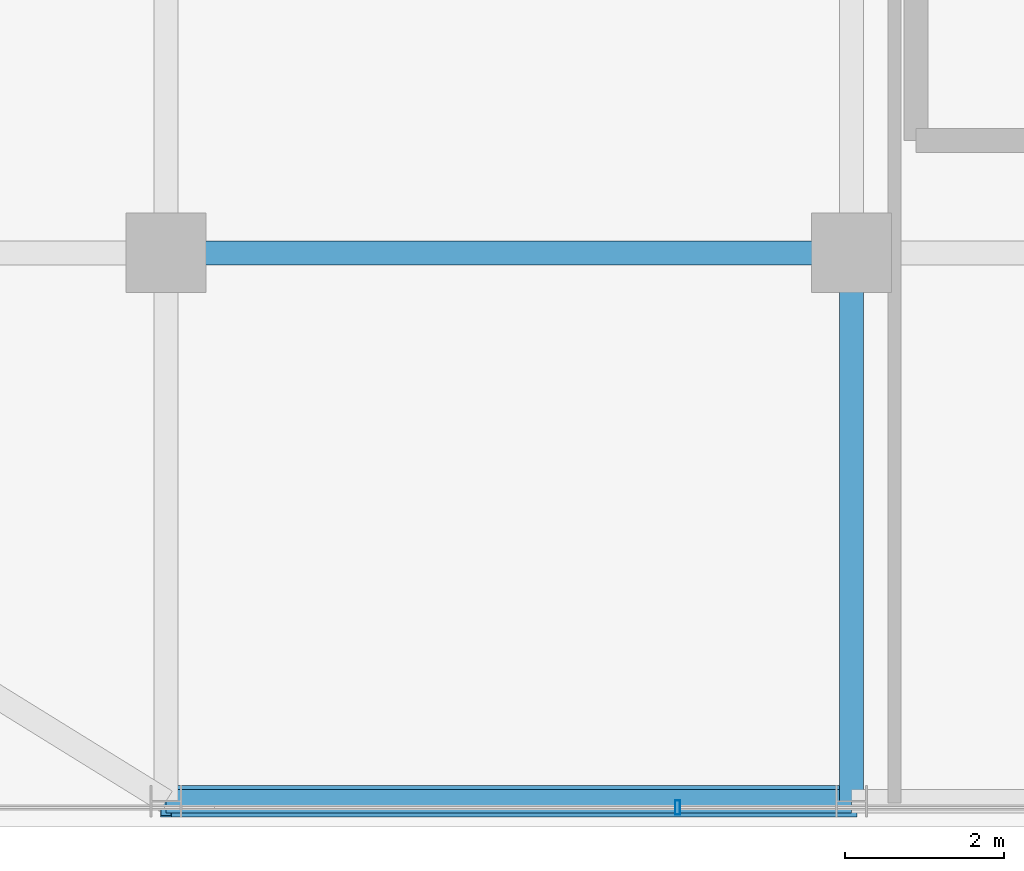
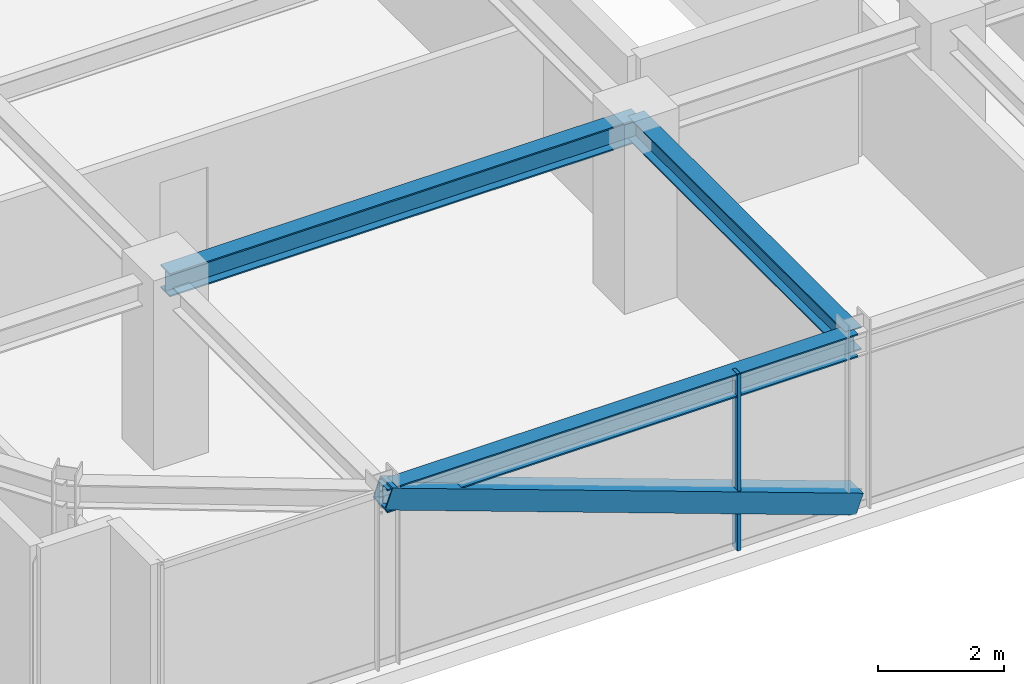
# One storey, part 5 of 42: 3 beams, 2 members, 1 element without a shape of its own.
"""IFC4 building model written with IfcOpenShell, lengths in metres."""

from ifc_helpers import new_model, si_unit, direction, frame, origin, origin_2d, place, context, subcontext, project, spatial, hollow_rectangle, i_section, extrude, source, transform, mapped, material, material_profile, profile_set, type_object, element, aggregate, save


model = new_model("IFC4")

# Units and contexts
model_context = context("Model", 3, precision=1e-05, world=origin(), true_north=direction((0.0, 1.0)))
body_context = subcontext(model_context, "Body", "Model", "MODEL_VIEW")
ifc_project = project(units=[si_unit("LENGTHUNIT", "METRE"), si_unit("AREAUNIT", "SQUARE_METRE"), si_unit("VOLUMEUNIT", "CUBIC_METRE"), si_unit("PLANEANGLEUNIT", "RADIAN"), si_unit("MASSUNIT", "GRAM", prefix="KILO")], contexts=[model_context])

# Site, building, storey
site_placement = place(None, origin())
site = spatial("IfcSite", under=ifc_project, at=site_placement, CompositionType="ELEMENT")
building_placement = place(site_placement, origin())
building = spatial("IfcBuilding", under=site, at=building_placement, Name="Nahalor Promenade Grand Hotel", CompositionType="ELEMENT")
storey_placement = place(building_placement, frame((0.0, 0.0, 249.300048828125)))
storey = spatial("IfcBuildingStorey", under=building, at=storey_placement, Name="L64", CompositionType="ELEMENT", Elevation=249.300048828125)

# Beams
ifc_material_1 = material(Name="Steel S355JR", Category="steel")
ifc_material_profile_1 = material_profile(ifc_material_1, i_section(OverallWidth=0.3, OverallDepth=0.45, WebThickness=0.014, FlangeThickness=0.026, at=origin_2d()), Name="HEB 450")
ifc_profile_set_1 = profile_set([ifc_material_profile_1], Name="Steel S355JR")
beam_type_1 = type_object("IfcBeamType", Name="Beam-Spandrel-HEB450", PredefinedType="SPANDREL", material=ifc_profile_set_1)
shared_shape_1 = source(origin(), body_context, "Body", "SweptSolid", [
    extrude(i_section(OverallWidth=0.3, OverallDepth=0.45, WebThickness=0.014, FlangeThickness=0.026, at=origin_2d()), origin(), (0.0, 0.0, 1.0), 8.60009765625),
])
beam_1_placement = place(storey_placement, frame((-17.0, -23.8798828125, 3.18505859375), z_axis=(1.0, 0.0, 0.0), x_axis=(0.0, 1.0, 0.0)))
element("IfcBeam", 1, at=beam_1_placement, inside=storey, type_object=beam_type_1, Name="BM-L64-SP-S-0", PredefinedType="SPANDREL", context=body_context, shape_type="MappedRepresentation", body=[
    mapped(shared_shape_1, transform((0.0, 0.0, 0.0), scale=1.0)),
])
ifc_material_profile_2 = material_profile(ifc_material_1, i_section(OverallWidth=0.3, OverallDepth=0.45, WebThickness=0.014, FlangeThickness=0.026, at=origin_2d()), Name="HEB 450")
ifc_profile_set_2 = profile_set([ifc_material_profile_2], Name="Steel S355JR")
beam_type_2 = type_object("IfcBeamType", Name="Beam-Girder-HEB450", PredefinedType="BEAM", material=ifc_profile_set_2)
shared_shape_2 = source(origin(), body_context, "Body", "SweptSolid", [
    extrude(i_section(OverallWidth=0.3, OverallDepth=0.45, WebThickness=0.014, FlangeThickness=0.026, at=origin_2d()), origin(), (0.0, 0.0, 1.0), 6.8798828125),
])
beam_2_placement = place(storey_placement, frame((-8.39990234375, -23.8798828125, 3.18505859375), z_axis=(0.0, 1.0, 0.0), x_axis=(-1.0, 0.0, 0.0)))
element("IfcBeam", 2, at=beam_2_placement, inside=storey, type_object=beam_type_2, Name="BM-L64-GY-1-0", PredefinedType="BEAM", context=body_context, shape_type="MappedRepresentation", body=[
    mapped(shared_shape_2, transform((0.0, 0.0, 0.0), scale=1.0)),
])
shared_shape_3 = source(origin(), body_context, "Body", "SweptSolid", [
    extrude(i_section(OverallWidth=0.3, OverallDepth=0.45, WebThickness=0.014, FlangeThickness=0.026, at=origin_2d()), origin(), (0.0, 0.0, 1.0), 8.60009765625),
])
beam_3_placement = place(storey_placement, frame((-17.0, -17.0, 3.18505859375), z_axis=(1.0, 0.0, 0.0), x_axis=(0.0, 1.0, 0.0)))
element("IfcBeam", 3, at=beam_3_placement, inside=storey, type_object=beam_type_2, Name="BM-L64-GX-0-1", PredefinedType="BEAM", context=body_context, shape_type="MappedRepresentation", body=[
    mapped(shared_shape_3, transform((0.0, 0.0, 0.0), scale=1.0)),
])

# Member
ifc_material_profile_3 = material_profile(ifc_material_1, hollow_rectangle(XDim=0.4, YDim=0.4, WallThickness=0.022, at=origin_2d()), Name="SHS 400x400x22")
ifc_profile_set_3 = profile_set([ifc_material_profile_3], Name="Steel S355JR")
member_type_1 = type_object("IfcMemberType", Name="Mem-ExoBrace-SHS400", PredefinedType="BRACE", material=ifc_profile_set_3)
shared_shape_4 = source(origin(), body_context, "Body", "SweptSolid", [
    extrude(hollow_rectangle(XDim=0.4, YDim=0.4, WallThickness=0.022, at=origin_2d()), origin(), (0.0, 0.0, 1.0), 9.145263671875),
])
member_1_placement = place(storey_placement, frame((-8.39990234375, -23.8798828125, 0.14990234375), z_axis=(-0.940396027132, 0.0, 0.340081331676), x_axis=(0.0, -1.0, 0.0)))
element("IfcMember", 4, at=member_1_placement, inside=storey, type_object=member_type_1, Name="EXO-L64-S-0", PredefinedType="BRACE", context=body_context, shape_type="MappedRepresentation", body=[
    mapped(shared_shape_4, transform((0.0, 0.0, 0.0), scale=1.0)),
])

# Curtain wall, member
ifc_material_2 = material(Name="Anodised Bronze Aluminium EN AW-6063 T6", Category="aluminium")
curtain_wall_type = type_object("IfcCurtainWallType", Name="CW2 Typical Hotel Flush Bronze Unitised Curtain Wall", PredefinedType="USERDEFINED", material=ifc_material_2)
curtain_wall_placement = place(storey_placement, origin())
curtain_wall = element("IfcCurtainWall", 5, at=curtain_wall_placement, inside=storey, type_object=curtain_wall_type, Name="L64 Curtain Wall CW-L64-S-1", ObjectType="UNITISED_CURTAIN_WALL", PredefinedType="USERDEFINED")
ifc_material_profile_4 = material_profile(ifc_material_2, hollow_rectangle(XDim=0.065, YDim=0.18, WallThickness=0.004, at=origin_2d()), Name="CWM 65x180x4")
ifc_profile_set_4 = profile_set([ifc_material_profile_4], Name="Anodised Bronze Aluminium EN AW-6063 T6")
member_type_2 = type_object("IfcMemberType", Name="CWM2 Typical Bronze Mullion 65x180", PredefinedType="MULLION", material=ifc_profile_set_4)
shared_shape_5 = source(origin(), body_context, "Body", "SweptSolid", [
    extrude(hollow_rectangle(XDim=0.065, YDim=0.18, WallThickness=0.004, at=origin_2d()), origin(), (0.0, 0.0, 1.0), 3.409912109375),
])
member_2_placement = place(storey_placement, frame((-10.580078125, -23.9599609375, 0.0), z_axis=(0.0, 0.0, 1.0), x_axis=(1.0, 0.0, 0.0)))
member_2 = element("IfcMember", 6, at=member_2_placement, type_object=member_type_2, Name="CW-L64-S-1 Mullion 1", PredefinedType="MULLION", context=body_context, shape_type="MappedRepresentation", body=[
    mapped(shared_shape_5, transform((0.0, 0.0, 0.0), scale=1.0)),
])
aggregate(curtain_wall, [member_2])

save(model, "model.ifc")
